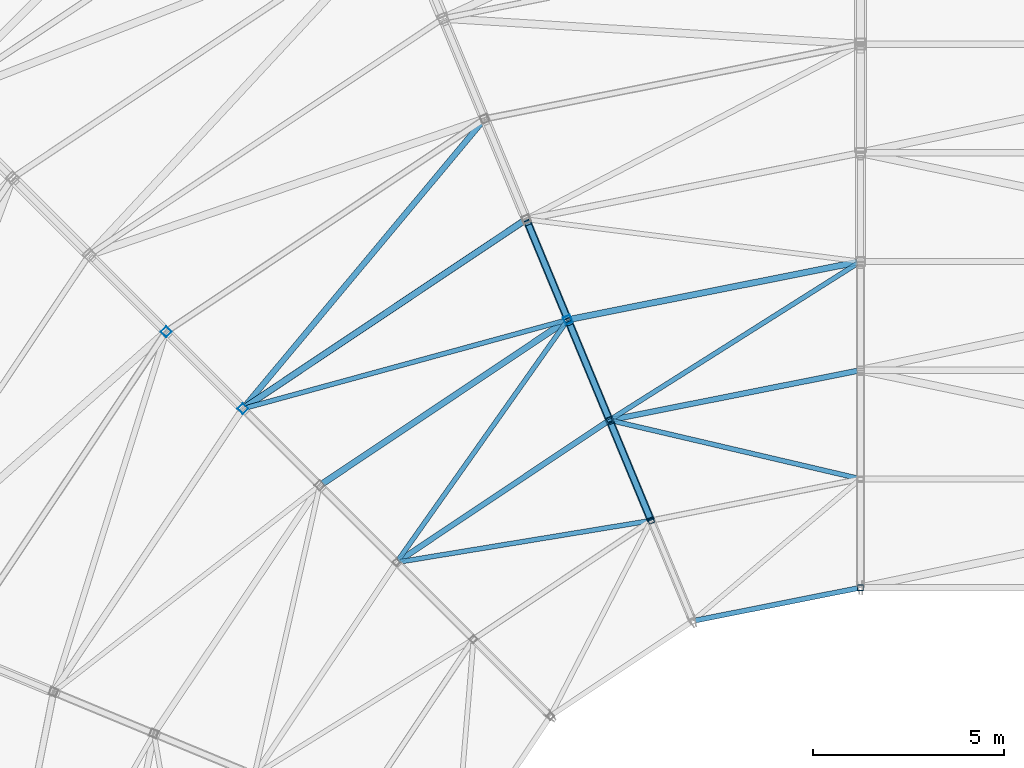
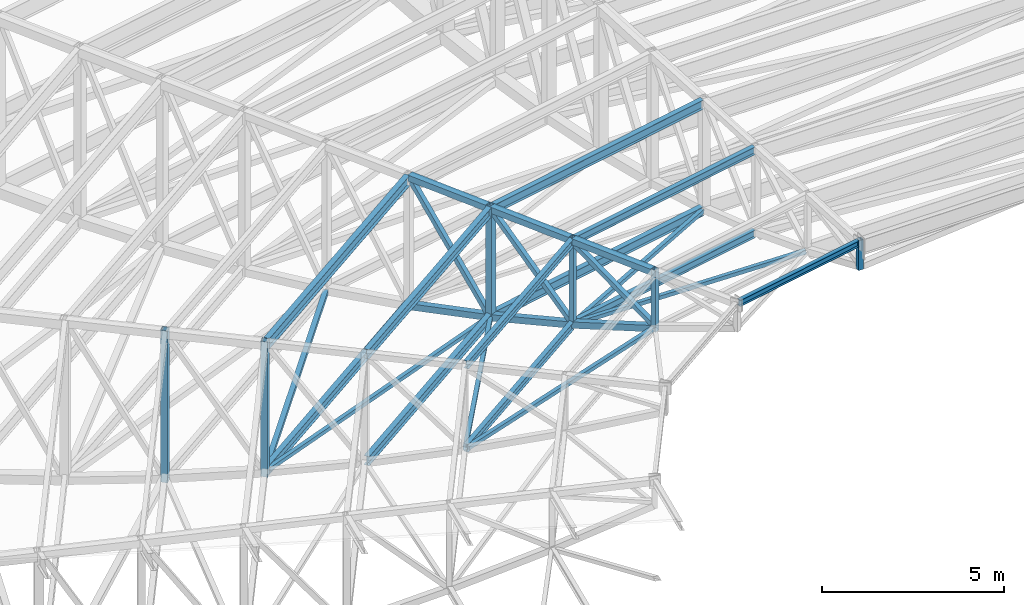
# One storey, part 73 of 278: 20 members, 12 beams.
"""IFC4 building model written with IfcOpenShell, lengths in metres."""

from ifc_helpers import new_model, si_unit, direction, frame, origin, origin_2d, place, context, subcontext, project, spatial, hollow_rectangle, i_section, extrude, material, material_profile, profile_set, type_object, element, save


model = new_model("IFC4")

# Units and contexts
model_context = context("Model", 3, precision=1e-05, world=origin(), true_north=direction((0.0, 1.0)))
body_context = subcontext(model_context, "Body", "Model", "MODEL_VIEW")
ifc_project = project(units=[si_unit("LENGTHUNIT", "METRE"), si_unit("AREAUNIT", "SQUARE_METRE"), si_unit("VOLUMEUNIT", "CUBIC_METRE"), si_unit("PLANEANGLEUNIT", "RADIAN"), si_unit("MASSUNIT", "GRAM", prefix="KILO")], contexts=[model_context])

# Site, building, storey
site_placement = place(None, origin())
site = spatial("IfcSite", under=ifc_project, at=site_placement, CompositionType="ELEMENT")
building_placement = place(site_placement, origin())
building = spatial("IfcBuilding", under=site, at=building_placement, Name="Ogive Plaza Stadium", CompositionType="ELEMENT")
storey_placement = place(building_placement, frame((0.0, 0.0, 29.0)))
storey = spatial("IfcBuildingStorey", under=building, at=storey_placement, Name="Roof", CompositionType="ELEMENT", Elevation=29.0)

# Members
ifc_material_1 = material(Name="Steel ASTM A500 Grade C", Category="steel")
ifc_material_profile_1 = material_profile(ifc_material_1, hollow_rectangle(XDim=0.126953125, YDim=0.126953125, WallThickness=0.005859375, at=origin_2d()), Name="HSS5X5X1/4")
ifc_profile_set_1 = profile_set([ifc_material_profile_1], Name="Steel ASTM A500 Grade C")
member_type_1 = type_object("IfcMemberType", Name="Roof plan brace HSS5X5X1/4", PredefinedType="BRACE", material=ifc_profile_set_1)
member_1_placement = place(storey_placement, frame((-39.5537109375, 65.74755859375, 5.295654296875), z_axis=(-0.974144447421, -0.159991499608, -0.159515878869), x_axis=(0.162066704963, -0.986779804791, 0.0)))
element("IfcMember", 1, at=member_1_placement, inside=storey, type_object=member_type_1, Name="ROOF BRACE B30 2", PredefinedType="BRACE", context=body_context, shape_type="SweptSolid", body=[
    extrude(hollow_rectangle(XDim=0.126953125, YDim=0.126953125, WallThickness=0.005859375, at=origin_2d()), origin(), (0.0, 0.0, 1.0), 6.673095703125),
])
member_2_placement = place(storey_placement, frame((-46.128662109375, 64.7099609375, 4.206298828125), z_axis=(0.572228855685, 0.810840921574, -0.12284598741), x_axis=(-0.817029308234, 0.576596140714, 0.0)))
element("IfcMember", 2, at=member_2_placement, inside=storey, type_object=member_type_1, Name="ROOF BRACE B30 3", PredefinedType="BRACE", context=body_context, shape_type="SweptSolid", body=[
    extrude(hollow_rectangle(XDim=0.126953125, YDim=0.126953125, WallThickness=0.005859375, at=origin_2d()), origin(), (0.0, 0.0, 1.0), 7.6552734375),
])
member_3_placement = place(storey_placement, frame((-41.75048828125, 71.00244140625, 3.242431640625), z_axis=(-0.960526396468, -0.262776220921, -0.091311003753), x_axis=(0.263878593741, -0.964555901835, 0.0)))
element("IfcMember", 3, at=member_3_placement, inside=storey, type_object=member_type_1, Name="ROOF BRACE B30 4", PredefinedType="BRACE", context=body_context, shape_type="SweptSolid", body=[
    extrude(hollow_rectangle(XDim=0.126953125, YDim=0.126953125, WallThickness=0.005859375, at=origin_2d()), origin(), (0.0, 0.0, 1.0), 8.66552734375),
])
member_4_placement = place(storey_placement, frame((-34.0615234375, 66.864501953125, 5.295654296875), z_axis=(-0.961217902804, 0.224974455098, -0.159520023456), x_axis=(-0.227892690942, -0.973686254096, 0.0)))
element("IfcMember", 4, at=member_4_placement, inside=storey, type_object=member_type_1, Name="ROOF BRACE B31 2", PredefinedType="BRACE", context=body_context, shape_type="SweptSolid", body=[
    extrude(hollow_rectangle(XDim=0.126953125, YDim=0.126953125, WallThickness=0.005859375, at=origin_2d()), origin(), (0.0, 0.0, 1.0), 6.6728515625),
])
member_5_placement = place(storey_placement, frame((-40.532958984375, 68.421875, 4.206298828125), z_axis=(0.838964253402, 0.530140708095, -0.122840592371), x_axis=(-0.534186414397, 0.845366710176, 0.0)))
element("IfcMember", 5, at=member_5_placement, inside=storey, type_object=member_type_1, Name="ROOF BRACE B31 3", PredefinedType="BRACE", context=body_context, shape_type="SweptSolid", body=[
    extrude(hollow_rectangle(XDim=0.126953125, YDim=0.126953125, WallThickness=0.005859375, at=origin_2d()), origin(), (0.0, 0.0, 1.0), 7.65576171875),
])
ifc_material_2 = material(Name="Steel ASTM A500 Grade C", Category="steel")
ifc_material_profile_2 = material_profile(ifc_material_2, hollow_rectangle(XDim=0.15234375, YDim=0.15234375, WallThickness=0.005859375, at=origin_2d()), Name="HSS6X6X1/4")
ifc_profile_set_2 = profile_set([ifc_material_profile_2], Name="Steel ASTM A500 Grade C")
member_type_2 = type_object("IfcMemberType", Name="Roof plan brace HSS6X6X1/4", PredefinedType="BRACE", material=ifc_profile_set_2)
member_6_placement = place(storey_placement, frame((-50.14208984375, 68.75341796875, 2.434326171875), z_axis=(0.639024737472, 0.765879779934, -0.071242877452), x_axis=(-0.76783083974, 0.640652637194, 0.0)))
element("IfcMember", 6, at=member_6_placement, inside=storey, type_object=member_type_2, Name="ROOF BRACE B30 5", PredefinedType="BRACE", context=body_context, shape_type="SweptSolid", body=[
    extrude(hollow_rectangle(XDim=0.15234375, YDim=0.15234375, WallThickness=0.005859375, at=origin_2d()), origin(), (0.0, 0.0, 1.0), 9.715087890625),
])
ifc_material_3 = material(Name="Steel ASTM A992 Grade 50", Category="steel")
ifc_material_profile_3 = material_profile(ifc_material_3, i_section(OverallWidth=0.14599609375, OverallDepth=0.25830078125, WebThickness=0.006103515625, FlangeThickness=0.009033203125, at=origin_2d()), Name="W10X22")
ifc_profile_set_3 = profile_set([ifc_material_profile_3], Name="Steel ASTM A992 Grade 50")
member_type_3 = type_object("IfcMemberType", Name="Roof plan strut W10X22", PredefinedType="STRUT", material=ifc_profile_set_3)
member_7_placement = place(storey_placement, frame((-46.110595703125, 64.69677734375, 4.213623046875), z_axis=(0.831473916404, 0.555563791422, 0.0), x_axis=(-0.555563791422, 0.831473916404, 0.0)))
element("IfcMember", 7, at=member_7_placement, inside=storey, type_object=member_type_3, Name="ROOF STRUT B30 2", PredefinedType="STRUT", context=body_context, shape_type="SweptSolid", body=[
    extrude(i_section(OverallWidth=0.14599609375, OverallDepth=0.25830078125, WebThickness=0.006103515625, FlangeThickness=0.009033203125, at=origin_2d()), origin(), (0.0, 0.0, 1.0), 6.5869140625),
])
member_8_placement = place(storey_placement, frame((-40.521240234375, 68.40283203125, 4.213623046875), z_axis=(0.980783381188, 0.195099869772, 0.0), x_axis=(-0.195099869772, 0.980783381188, 0.0)))
element("IfcMember", 8, at=member_8_placement, inside=storey, type_object=member_type_3, Name="ROOF STRUT B31 2", PredefinedType="STRUT", context=body_context, shape_type="SweptSolid", body=[
    extrude(i_section(OverallWidth=0.14599609375, OverallDepth=0.25830078125, WebThickness=0.006103515625, FlangeThickness=0.009033203125, at=origin_2d()), origin(), (0.0, 0.0, 1.0), 6.560791015625),
])
ifc_material_4 = material(Name="Steel ASTM A992 Grade 50", Category="steel")
ifc_material_profile_4 = material_profile(ifc_material_4, i_section(OverallWidth=0.164794921875, OverallDepth=0.310302734375, WebThickness=0.005859375, FlangeThickness=0.009765625, at=origin_2d()), Name="W12X26")
ifc_profile_set_4 = profile_set([ifc_material_profile_4], Name="Steel ASTM A992 Grade 50")
member_type_4 = type_object("IfcMemberType", Name="Roof plan strut W12X26", PredefinedType="STRUT", material=ifc_profile_set_4)
member_9_placement = place(storey_placement, frame((-48.102783203125, 66.7275390625, 3.249755859375), z_axis=(0.831474896434, 0.555562324677, 0.0), x_axis=(-0.555562324677, 0.831474896434, 0.0)))
element("IfcMember", 9, at=member_9_placement, inside=storey, type_object=member_type_4, Name="ROOF STRUT B30 3", PredefinedType="STRUT", context=body_context, shape_type="SweptSolid", body=[
    extrude(i_section(OverallWidth=0.164794921875, OverallDepth=0.310302734375, WebThickness=0.005859375, FlangeThickness=0.009765625, at=origin_2d()), origin(), (0.0, 0.0, 1.0), 7.643310546875),
])
member_10_placement = place(storey_placement, frame((-50.117919921875, 68.74267578125, 2.43994140625), z_axis=(0.831457792785, 0.555587921771, 0.0), x_axis=(-0.555587921771, 0.831457792785, 0.0)))
element("IfcMember", 10, at=member_10_placement, inside=storey, type_object=member_type_4, Name="ROOF STRUT B30 4", PredefinedType="STRUT", context=body_context, shape_type="SweptSolid", body=[
    extrude(i_section(OverallWidth=0.164794921875, OverallDepth=0.310302734375, WebThickness=0.005859375, FlangeThickness=0.009765625, at=origin_2d()), origin(), (0.0, 0.0, 1.0), 8.755126953125),
])
member_11_placement = place(storey_placement, frame((-41.58447265625, 71.041259765625, 3.249755859375), z_axis=(0.9807828615, 0.195102482268, 0.0), x_axis=(-0.195102482268, 0.9807828615, 0.0)))
element("IfcMember", 11, at=member_11_placement, inside=storey, type_object=member_type_4, Name="ROOF STRUT B31 3", PredefinedType="STRUT", context=body_context, shape_type="SweptSolid", body=[
    extrude(i_section(OverallWidth=0.164794921875, OverallDepth=0.310302734375, WebThickness=0.005859375, FlangeThickness=0.009765625, at=origin_2d()), origin(), (0.0, 0.0, 1.0), 7.643310546875),
])
ifc_material_5 = material(Name="Steel ASTM A992 Grade 50", Category="steel")
ifc_material_profile_5 = material_profile(ifc_material_5, i_section(OverallWidth=0.14599609375, OverallDepth=0.25830078125, WebThickness=0.006103515625, FlangeThickness=0.009033203125, at=origin_2d()), Name="W10X22")
ifc_profile_set_5 = profile_set([ifc_material_profile_5], Name="Steel ASTM A992 Grade 50")
member_type_5 = type_object("IfcMemberType", Name="Roof purlin W10X22", PredefinedType="PURLIN", material=ifc_profile_set_5)
member_12_placement = place(storey_placement, frame((-46.110595703125, 64.69677734375, 7.0107421875), z_axis=(0.831473916404, 0.555563791422, 0.0), x_axis=(-0.555563791422, 0.831473916404, 0.0)))
element("IfcMember", 12, at=member_12_placement, inside=storey, type_object=member_type_5, Name="ROOF PURLIN B30 2", PredefinedType="PURLIN", context=body_context, shape_type="SweptSolid", body=[
    extrude(i_section(OverallWidth=0.14599609375, OverallDepth=0.25830078125, WebThickness=0.006103515625, FlangeThickness=0.009033203125, at=origin_2d()), origin(), (0.0, 0.0, 1.0), 6.5869140625),
])
member_13_placement = place(storey_placement, frame((-40.521240234375, 68.40283203125, 7.0107421875), z_axis=(0.980783381188, 0.195099869772, 0.0), x_axis=(-0.195099869772, 0.980783381188, 0.0)))
element("IfcMember", 13, at=member_13_placement, inside=storey, type_object=member_type_5, Name="ROOF PURLIN B31 2", PredefinedType="PURLIN", context=body_context, shape_type="SweptSolid", body=[
    extrude(i_section(OverallWidth=0.14599609375, OverallDepth=0.25830078125, WebThickness=0.006103515625, FlangeThickness=0.009033203125, at=origin_2d()), origin(), (0.0, 0.0, 1.0), 6.560791015625),
])
ifc_material_6 = material(Name="Steel ASTM A992 Grade 50", Category="steel")
ifc_material_profile_6 = material_profile(ifc_material_6, i_section(OverallWidth=0.164794921875, OverallDepth=0.310302734375, WebThickness=0.005859375, FlangeThickness=0.009765625, at=origin_2d()), Name="W12X26")
ifc_profile_set_6 = profile_set([ifc_material_profile_6], Name="Steel ASTM A992 Grade 50")
member_type_6 = type_object("IfcMemberType", Name="Roof purlin W12X26", PredefinedType="PURLIN", material=ifc_profile_set_6)
for number, where, z_axis, x_axis, name in (
    (14, (-48.102783203125, 66.7275390625, 6.84228515625), (0.831474896434, 0.555562324677, 0.0), (-0.555562324677, 0.831474896434, 0.0), "ROOF PURLIN B30 3"),
    (15, (-41.58447265625, 71.041259765625, 6.84228515625), (0.9807828615, 0.195102482268, 0.0), (-0.195102482268, 0.9807828615, 0.0), "ROOF PURLIN B31 3"),
):
    element("IfcMember", number, at=place(storey_placement, frame(where, z_axis=z_axis, x_axis=x_axis)), inside=storey, type_object=member_type_6, Name=name, PredefinedType="PURLIN", context=body_context, shape_type="SweptSolid", body=[
        extrude(i_section(OverallWidth=0.164794921875, OverallDepth=0.310302734375, WebThickness=0.005859375, FlangeThickness=0.009765625, at=origin_2d()), origin(), (0.0, 0.0, 1.0), 7.643310546875),
    ])
ifc_material_7 = material(Name="Steel ASTM A992 Grade 50", Category="steel")
ifc_material_profile_7 = material_profile(ifc_material_7, i_section(OverallWidth=0.17138671875, OverallDepth=0.35498046875, WebThickness=0.00732421875, FlangeThickness=0.011474609375, at=origin_2d()), Name="W14X34")
ifc_profile_set_7 = profile_set([ifc_material_profile_7], Name="Steel ASTM A992 Grade 50")
member_type_7 = type_object("IfcMemberType", Name="Roof purlin W14X34", PredefinedType="PURLIN", material=ifc_profile_set_7)
member_14_placement = place(storey_placement, frame((-50.117431640625, 68.7431640625, 6.677490234375), z_axis=(0.83147489099, 0.555562332825, 0.0), x_axis=(-0.555562332825, 0.83147489099, 0.0)))
element("IfcMember", 16, at=member_14_placement, inside=storey, type_object=member_type_7, Name="ROOF PURLIN B30 4", PredefinedType="PURLIN", context=body_context, shape_type="SweptSolid", body=[
    extrude(i_section(OverallWidth=0.17138671875, OverallDepth=0.35498046875, WebThickness=0.00732421875, FlangeThickness=0.011474609375, at=origin_2d()), origin(), (0.0, 0.0, 1.0), 8.75390625),
])
ifc_material_8 = material(Name="Steel ASTM A992 Grade 50", Category="steel")
ifc_material_profile_8 = material_profile(ifc_material_8, i_section(OverallWidth=0.13330078125, OverallDepth=0.206787109375, WebThickness=0.005859375, FlangeThickness=0.00830078125, at=origin_2d()), Name="W8X18")
ifc_profile_set_8 = profile_set([ifc_material_profile_8], Name="Steel ASTM A992 Grade 50")
member_type_8 = type_object("IfcMemberType", Name="Roof tip ring beam W8X18", PredefinedType="MEMBER", material=ifc_profile_set_8)
member_15_placement = place(storey_placement, frame((-38.341064453125, 63.136474609375, 7.321533203125), z_axis=(0.980786642434, 0.195083474499, 0.0), x_axis=(-0.195083474499, 0.980786642434, 0.0)))
element("IfcMember", 17, at=member_15_placement, inside=storey, type_object=member_type_8, Name="RING BEAM B31", PredefinedType="MEMBER", context=body_context, shape_type="SweptSolid", body=[
    extrude(i_section(OverallWidth=0.13330078125, OverallDepth=0.206787109375, WebThickness=0.005859375, FlangeThickness=0.00830078125, at=origin_2d()), origin(), (0.0, 0.0, 1.0), 4.365234375),
])

# Beams
ifc_material_9 = material(Name="Steel ASTM A500 Grade C", Category="steel")
ifc_material_profile_9 = material_profile(ifc_material_9, hollow_rectangle(XDim=0.203125, YDim=0.203125, WallThickness=0.01171875, at=origin_2d()), Name="HSS8X8X1/2")
ifc_profile_set_9 = profile_set([ifc_material_profile_9], Name="Steel ASTM A500 Grade C")
beam_type_1 = type_object("IfcBeamType", Name="Roof truss bottom chord HSS8X8X1/2", PredefinedType="BEAM", material=ifc_profile_set_9)
beam_1_placement = place(storey_placement, frame((-39.50537109375, 65.791259765625, 5.299072265625), z_axis=(-0.357350015784, 0.862700869161, -0.357838198866), x_axis=(-0.923876649068, -0.38269039354, 0.0)))
element("IfcBeam", 18, at=beam_1_placement, inside=storey, type_object=beam_type_1, Name="ROOF TRUSS T31 BOTTOM CHORD 2", PredefinedType="BEAM", context=body_context, shape_type="SweptSolid", body=[
    extrude(hollow_rectangle(XDim=0.203125, YDim=0.203125, WallThickness=0.01171875, at=origin_2d()), origin(), (0.0, 0.0, 1.0), 3.00048828125),
])
beam_2_placement = place(storey_placement, frame((-40.5947265625, 68.4208984375, 4.208251953125), z_axis=(-0.362478322525, 0.875211905582, -0.320333554327), x_axis=(-0.923896818654, -0.382641697258, 0.0)))
element("IfcBeam", 19, at=beam_2_placement, inside=storey, type_object=beam_type_1, Name="ROOF TRUSS T31 BOTTOM CHORD 3", PredefinedType="BEAM", context=body_context, shape_type="SweptSolid", body=[
    extrude(hollow_rectangle(XDim=0.203125, YDim=0.203125, WallThickness=0.01171875, at=origin_2d()), origin(), (0.0, 0.0, 1.0), 2.93115234375),
])
beam_3_placement = place(storey_placement, frame((-41.689697265625, 71.064697265625, 3.2412109375), z_axis=(-0.36727087962, 0.886574426433, -0.281243466376), x_axis=(-0.923864895024, -0.382718768474, 0.0)))
element("IfcBeam", 20, at=beam_3_placement, inside=storey, type_object=beam_type_1, Name="ROOF TRUSS T31 BOTTOM CHORD 4", PredefinedType="BEAM", context=body_context, shape_type="SweptSolid", body=[
    extrude(hollow_rectangle(XDim=0.203125, YDim=0.203125, WallThickness=0.01171875, at=origin_2d()), origin(), (0.0, 0.0, 1.0), 2.877685546875),
])

# Members
ifc_material_10 = material(Name="Steel ASTM A500 Grade C", Category="steel")
ifc_material_profile_10 = material_profile(ifc_material_10, hollow_rectangle(XDim=0.15234375, YDim=0.15234375, WallThickness=0.005859375, at=origin_2d()), Name="HSS6X6X1/4")
ifc_profile_set_10 = profile_set([ifc_material_profile_10], Name="Steel ASTM A500 Grade C")
member_type_9 = type_object("IfcMemberType", Name="Roof truss diagonal HSS6X6X1/4", PredefinedType="BRACE", material=ifc_profile_set_10)
member_16_placement = place(storey_placement, frame((-39.520751953125, 65.828125, 5.407470703125), z_axis=(-0.332885582198, 0.803712399025, 0.493187153947), x_axis=(-0.923888877324, -0.382660871212, 0.0)))
element("IfcMember", 21, at=member_16_placement, inside=storey, type_object=member_type_9, Name="ROOF TRUSS T31 DIAGONAL 2", PredefinedType="BRACE", context=body_context, shape_type="SweptSolid", body=[
    extrude(hollow_rectangle(XDim=0.15234375, YDim=0.15234375, WallThickness=0.005859375, at=origin_2d()), origin(), (0.0, 0.0, 1.0), 3.100830078125),
])
member_17_placement = place(storey_placement, frame((-40.611328125, 68.461181640625, 4.315185546875), z_axis=(-0.280576599819, 0.677295435038, 0.680108568767), x_axis=(-0.923864270577, -0.382720275855, 0.0)))
element("IfcMember", 22, at=member_17_placement, inside=storey, type_object=member_type_9, Name="ROOF TRUSS T31 DIAGONAL 3", PredefinedType="BRACE", context=body_context, shape_type="SweptSolid", body=[
    extrude(hollow_rectangle(XDim=0.15234375, YDim=0.15234375, WallThickness=0.005859375, at=origin_2d()), origin(), (0.0, 0.0, 1.0), 3.64501953125),
])
member_18_placement = place(storey_placement, frame((-41.711669921875, 71.11767578125, 3.3515625), z_axis=(-0.239434593828, 0.578013230123, 0.780110108306), x_axis=(-0.923871804697, -0.382702088427, 0.0)))
element("IfcMember", 23, at=member_18_placement, inside=storey, type_object=member_type_9, Name="ROOF TRUSS T31 DIAGONAL 4", PredefinedType="BRACE", context=body_context, shape_type="SweptSolid", body=[
    extrude(hollow_rectangle(XDim=0.15234375, YDim=0.15234375, WallThickness=0.005859375, at=origin_2d()), origin(), (0.0, 0.0, 1.0), 4.23046875),
])

# Beams
ifc_material_11 = material(Name="Steel ASTM A500 Grade C", Category="steel")
ifc_material_profile_11 = material_profile(ifc_material_11, hollow_rectangle(XDim=0.15234375, YDim=0.15234375, WallThickness=0.0087890625, at=origin_2d()), Name="HSS6X6X3/8")
ifc_profile_set_11 = profile_set([ifc_material_profile_11], Name="Steel ASTM A500 Grade C")
beam_type_2 = type_object("IfcBeamType", Name="Roof truss post HSS6X6X3/8", PredefinedType="BEAM", material=ifc_profile_set_11)
beam_4_placement = place(storey_placement, frame((-39.491455078125, 65.757568359375, 5.204345703125), z_axis=(0.0, 0.0, 1.0), x_axis=(-0.923879532511, -0.382683432365, 0.0)))
element("IfcBeam", 24, at=beam_4_placement, inside=storey, type_object=beam_type_2, Name="ROOF TRUSS T31 POST 2", PredefinedType="BEAM", context=body_context, shape_type="SweptSolid", body=[
    extrude(hollow_rectangle(XDim=0.15234375, YDim=0.15234375, WallThickness=0.0087890625, at=origin_2d()), origin(), (0.0, 0.0, 1.0), 2.078125),
])
beam_5_placement = place(storey_placement, frame((-40.582275390625, 68.390625, 4.112060546875), z_axis=(0.0, 0.0, 1.0), x_axis=(-0.923879532511, -0.382683432365, 0.0)))
element("IfcBeam", 25, at=beam_5_placement, inside=storey, type_object=beam_type_2, Name="ROOF TRUSS T31 POST 3", PredefinedType="BEAM", context=body_context, shape_type="SweptSolid", body=[
    extrude(hollow_rectangle(XDim=0.15234375, YDim=0.15234375, WallThickness=0.0087890625, at=origin_2d()), origin(), (0.0, 0.0, 1.0), 3.02783203125),
])
beam_6_placement = place(storey_placement, frame((-34.0, 64.0, 6.425048828125), z_axis=(0.0, 0.0, 1.0), x_axis=(-1.0, 0.0, 0.0)))
element("IfcBeam", 26, at=beam_6_placement, inside=storey, type_object=beam_type_2, Name="ROOF TRUSS T32 POST 1", PredefinedType="BEAM", context=body_context, shape_type="SweptSolid", body=[
    extrude(hollow_rectangle(XDim=0.15234375, YDim=0.15234375, WallThickness=0.0087890625, at=origin_2d()), origin(), (0.0, 0.0, 1.0), 1.0),
])
ifc_material_12 = material(Name="Steel ASTM A500 Grade C", Category="steel")
ifc_material_profile_12 = material_profile(ifc_material_12, hollow_rectangle(XDim=0.203125, YDim=0.203125, WallThickness=0.0087890625, at=origin_2d()), Name="HSS8X8X3/8")
ifc_profile_set_12 = profile_set([ifc_material_profile_12], Name="Steel ASTM A500 Grade C")
beam_type_3 = type_object("IfcBeamType", Name="Roof truss post HSS8X8X3/8", PredefinedType="BEAM", material=ifc_profile_set_12)
beam_7_placement = place(storey_placement, frame((-50.192626953125, 68.692626953125, 2.31298828125), z_axis=(0.0, 0.0, 1.0), x_axis=(-0.707106781187, -0.707106781187, 0.0)))
element("IfcBeam", 27, at=beam_7_placement, inside=storey, type_object=beam_type_3, Name="ROOF TRUSS T30 POST 5", PredefinedType="BEAM", context=body_context, shape_type="SweptSolid", body=[
    extrude(hollow_rectangle(XDim=0.203125, YDim=0.203125, WallThickness=0.0087890625, at=origin_2d()), origin(), (0.0, 0.0, 1.0), 4.5419921875),
])
beam_8_placement = place(storey_placement, frame((-52.2080078125, 70.7080078125, 1.606201171875), z_axis=(0.0, 0.0, 1.0), x_axis=(-0.707106781187, -0.707106781187, 0.0)))
element("IfcBeam", 28, at=beam_8_placement, inside=storey, type_object=beam_type_3, Name="ROOF TRUSS T30 POST 6", PredefinedType="BEAM", context=body_context, shape_type="SweptSolid", body=[
    extrude(hollow_rectangle(XDim=0.203125, YDim=0.203125, WallThickness=0.0087890625, at=origin_2d()), origin(), (0.0, 0.0, 1.0), 5.106201171875),
])
beam_9_placement = place(storey_placement, frame((-41.6728515625, 71.023681640625, 3.148193359375), z_axis=(0.0, 0.0, 1.0), x_axis=(-0.923879532511, -0.382683432365, 0.0)))
element("IfcBeam", 29, at=beam_9_placement, inside=storey, type_object=beam_type_3, Name="ROOF TRUSS T31 POST 4", PredefinedType="BEAM", context=body_context, shape_type="SweptSolid", body=[
    extrude(hollow_rectangle(XDim=0.203125, YDim=0.203125, WallThickness=0.0087890625, at=origin_2d()), origin(), (0.0, 0.0, 1.0), 3.849365234375),
])
ifc_material_13 = material(Name="Steel ASTM A500 Grade C", Category="steel")
ifc_material_profile_13 = material_profile(ifc_material_13, hollow_rectangle(XDim=0.203125, YDim=0.203125, WallThickness=0.0087890625, at=origin_2d()), Name="HSS8X8X3/8")
ifc_profile_set_13 = profile_set([ifc_material_profile_13], Name="Steel ASTM A500 Grade C")
beam_type_4 = type_object("IfcBeamType", Name="Roof truss top chord HSS8X8X3/8", PredefinedType="BEAM", material=ifc_profile_set_13)
beam_10_placement = place(storey_placement, frame((-39.50732421875, 65.795654296875, 7.1787109375), z_axis=(-0.382170146482, 0.922740920758, -0.049951699644), x_axis=(-0.923894278368, -0.382647830777, 0.0)))
element("IfcBeam", 30, at=beam_10_placement, inside=storey, type_object=beam_type_4, Name="ROOF TRUSS T31 TOP CHORD 2", PredefinedType="BEAM", context=body_context, shape_type="SweptSolid", body=[
    extrude(hollow_rectangle(XDim=0.203125, YDim=0.203125, WallThickness=0.0087890625, at=origin_2d()), origin(), (0.0, 0.0, 1.0), 2.771240234375),
])
beam_11_placement = place(storey_placement, frame((-40.597900390625, 68.4287109375, 7.0361328125), z_axis=(-0.382176583821, 0.922739022917, -0.049937504593), x_axis=(-0.923891721509, -0.382654004196, 0.0)))
element("IfcBeam", 31, at=beam_11_placement, inside=storey, type_object=beam_type_4, Name="ROOF TRUSS T31 TOP CHORD 3", PredefinedType="BEAM", context=body_context, shape_type="SweptSolid", body=[
    extrude(hollow_rectangle(XDim=0.203125, YDim=0.203125, WallThickness=0.0087890625, at=origin_2d()), origin(), (0.0, 0.0, 1.0), 2.76220703125),
])
beam_12_placement = place(storey_placement, frame((-41.69189453125, 71.070068359375, 6.893310546875), z_axis=(-0.382258780814, 0.922705839284, -0.049921524843), x_axis=(-0.923857757469, -0.382735997737, 0.0)))
element("IfcBeam", 32, at=beam_12_placement, inside=storey, type_object=beam_type_4, Name="ROOF TRUSS T31 TOP CHORD 4", PredefinedType="BEAM", context=body_context, shape_type="SweptSolid", body=[
    extrude(hollow_rectangle(XDim=0.203125, YDim=0.203125, WallThickness=0.0087890625, at=origin_2d()), origin(), (0.0, 0.0, 1.0), 2.75341796875),
])

save(model, "model.ifc")
